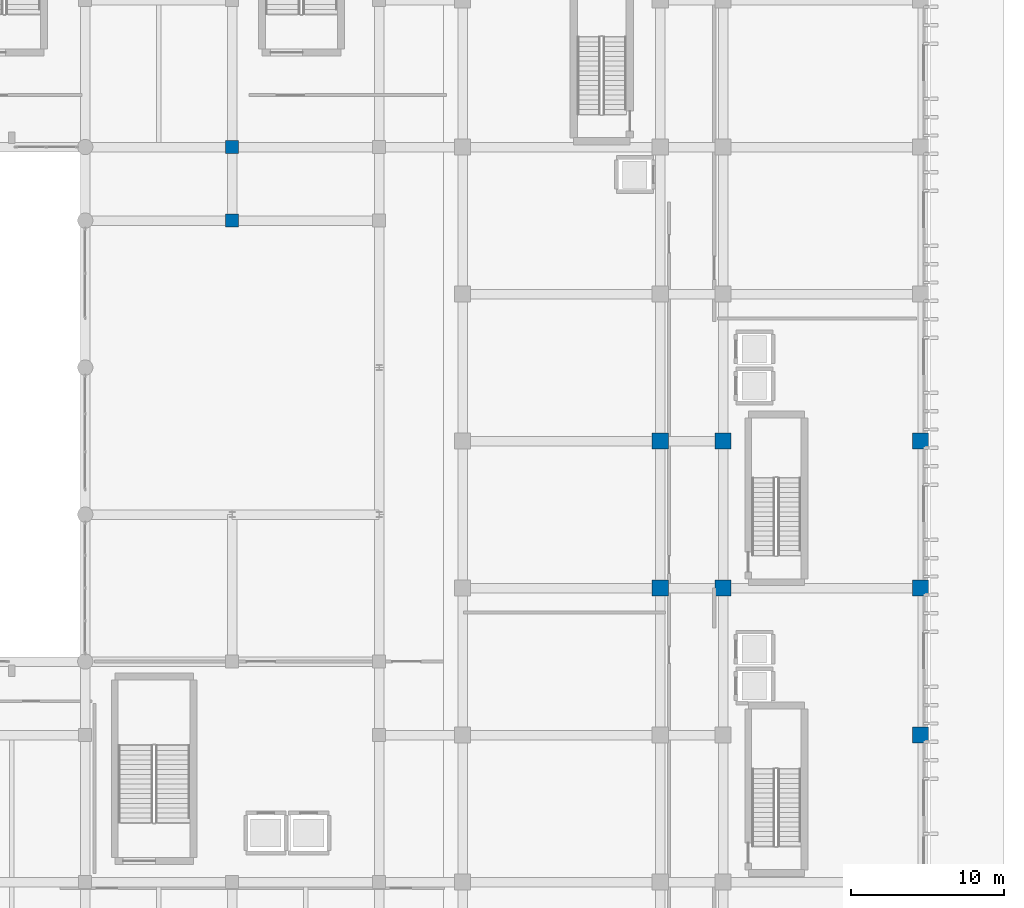
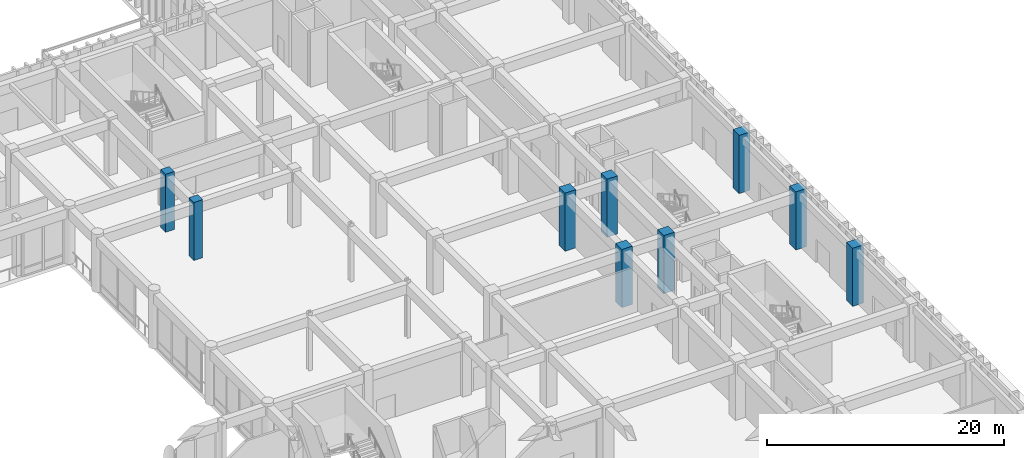
# One storey, part 10 of 87: 9 columns.
"""IFC4 building model written with IfcOpenShell, lengths in metres."""

from ifc_helpers import new_model, si_unit, direction, frame, origin, origin_2d, place, context, subcontext, project, spatial, rectangle, extrude, material, material_profile, profile_set, type_object, element, save


model = new_model("IFC4")

# Units and contexts
model_context = context("Model", 3, precision=1e-05, world=origin(), true_north=direction((0.0, 1.0)))
body_context = subcontext(model_context, "Body", "Model", "MODEL_VIEW")
ifc_project = project(units=[si_unit("LENGTHUNIT", "METRE"), si_unit("AREAUNIT", "SQUARE_METRE"), si_unit("VOLUMEUNIT", "CUBIC_METRE"), si_unit("PLANEANGLEUNIT", "RADIAN"), si_unit("MASSUNIT", "GRAM", prefix="KILO")], contexts=[model_context])

# Site, building, storey
site_placement = place(None, origin())
site = spatial("IfcSite", under=ifc_project, at=site_placement, CompositionType="ELEMENT")
building_placement = place(site_placement, origin())
building = spatial("IfcBuilding", under=site, at=building_placement, Name="Nakhvara Creek Congress Hotel", CompositionType="ELEMENT")
storey_placement = place(building_placement, origin())
storey = spatial("IfcBuildingStorey", under=building, at=storey_placement, Name="L00", CompositionType="ELEMENT", Elevation=0.0)

# Columns
ifc_material = material(Name="Concrete C50/60", Category="concrete")
ifc_material_profile_1 = material_profile(ifc_material, rectangle(XDim=1.050048828125, YDim=1.050048828125, at=origin_2d()), Name="RC-COL 1050x1050", Category="LoadBearing")
ifc_profile_set_1 = profile_set([ifc_material_profile_1], Name="Concrete C50/60")
column_type_1 = type_object("IfcColumnType", Name="COL-RC-1050", PredefinedType="COLUMN", material=ifc_profile_set_1)
for number, where, z_axis, x_axis, name in (
    (1, (162.35009765625, 48.0, 0.0), (0.0, 0.0, 1.0), (1.0, 0.0, 0.0), "Column C16-L00-0775"),
    (2, (162.35009765625, 57.60009765625, 0.0), (0.0, 0.0, 1.0), (1.0, 0.0, 0.0), "Column C16-L00-0776"),
    (3, (166.449951171875, 48.0, 0.0), (0.0, 0.0, 1.0), (1.0, 0.0, 0.0), "Column C16-L00-0789"),
    (4, (166.449951171875, 57.60009765625, 0.0), (0.0, 0.0, 1.0), (1.0, 0.0, 0.0), "Column C16-L00-0790"),
    (5, (179.35009765625, 38.39990234375, 0.0), (0.0, 0.0, 1.0), (1.0, 0.0, 0.0), "Column C16-L00-0802"),
    (6, (179.35009765625, 48.0, 0.0), (0.0, 0.0, 1.0), (1.0, 0.0, 0.0), "Column C16-L00-0803"),
    (7, (179.35009765625, 57.60009765625, 0.0), (0.0, 0.0, 1.0), (1.0, 0.0, 0.0), "Column C16-L00-0804"),
):
    element("IfcColumn", number, at=place(storey_placement, frame(where, z_axis=z_axis, x_axis=x_axis)), inside=storey, type_object=column_type_1, Name=name, PredefinedType="COLUMN", context=body_context, shape_type="SweptSolid", body=[
        extrude(rectangle(XDim=1.050048828125, YDim=1.050048828125, at=origin_2d()), origin(), (0.0, 0.0, 1.0), 6.0),
    ])
ifc_material_profile_2 = material_profile(ifc_material, rectangle(XDim=0.85009765625, YDim=0.85009765625, at=origin_2d()), Name="RC-COL 850x850", Category="LoadBearing")
ifc_profile_set_2 = profile_set([ifc_material_profile_2], Name="Concrete C50/60")
column_type_2 = type_object("IfcColumnType", Name="COL-RC-850", PredefinedType="COLUMN", material=ifc_profile_set_2)
for number, where, z_axis, x_axis, name in (
    (8, (134.39990234375, 72.0, 0.0), (0.0, 0.0, 1.0), (1.0, 0.0, 0.0), "Column C18-L00-0724"),
    (9, (134.39990234375, 76.800048828125, 0.0), (0.0, 0.0, 1.0), (1.0, 0.0, 0.0), "Column C18-L00-0725"),
):
    element("IfcColumn", number, at=place(storey_placement, frame(where, z_axis=z_axis, x_axis=x_axis)), inside=storey, type_object=column_type_2, Name=name, PredefinedType="COLUMN", context=body_context, shape_type="SweptSolid", body=[
        extrude(rectangle(XDim=0.85009765625, YDim=0.85009765625, at=origin_2d()), origin(), (0.0, 0.0, 1.0), 6.0),
    ])

save(model, "model.ifc")
